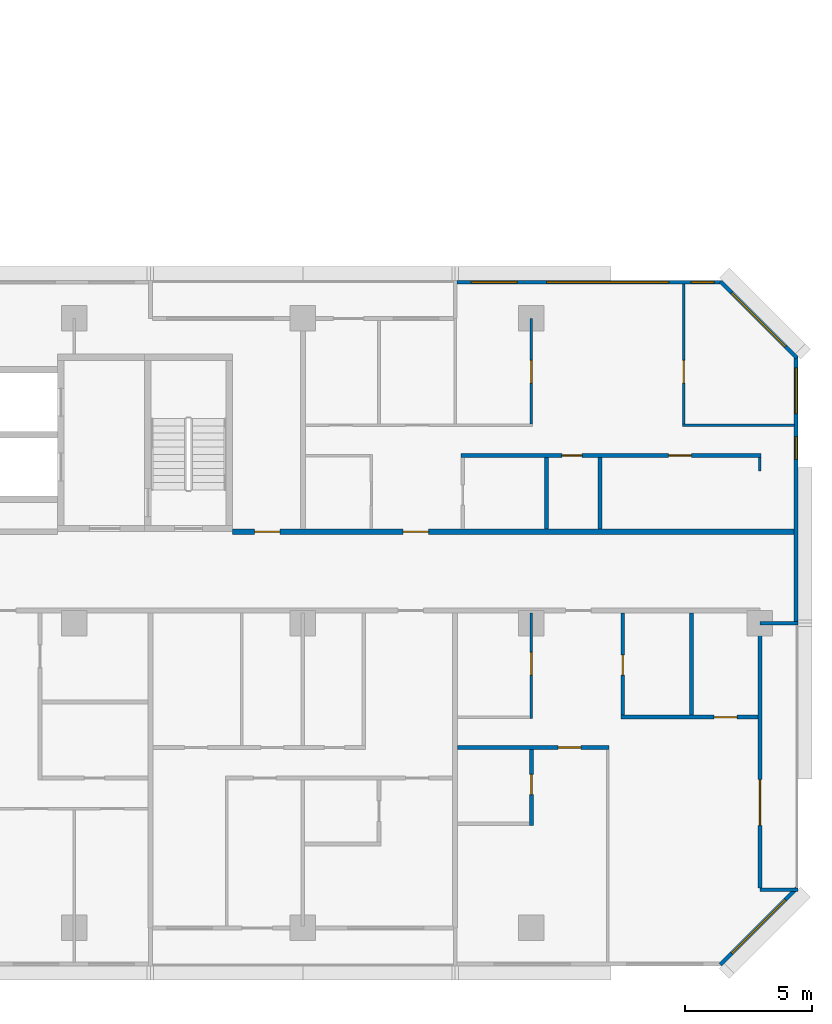
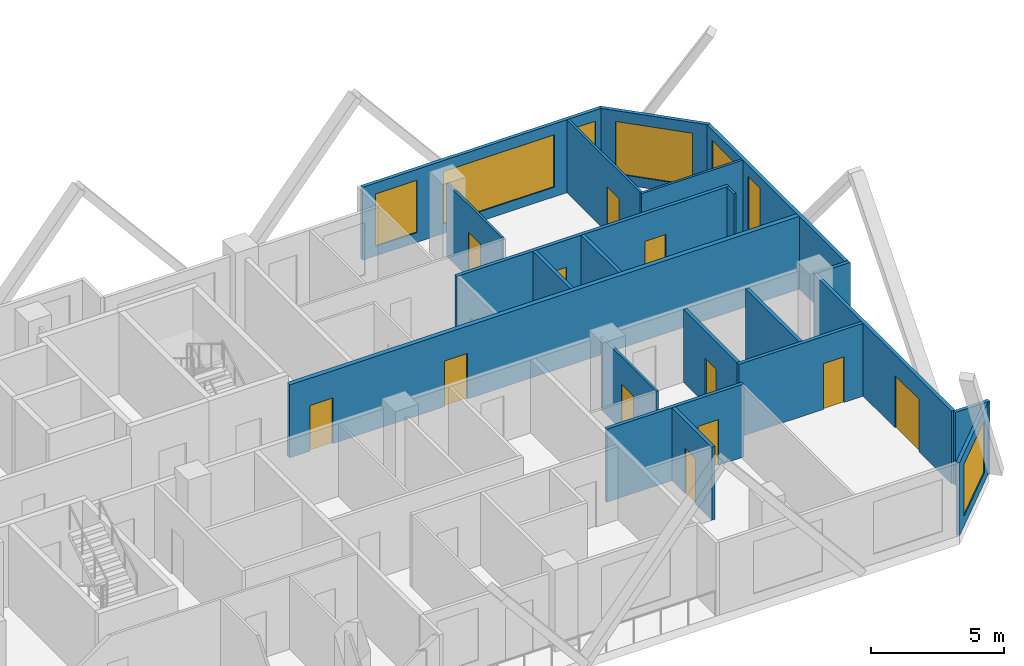
# One storey, part 12 of 15: 21 walls, 12 doors, 7 windows, 19 openings.
"""IFC4 building model written with IfcOpenShell, lengths in metres."""

from ifc_helpers import new_model, si_unit, direction, frame, frame_2d, origin, place, context, subcontext, project, spatial, rectangle, extrude, material, layer, layer_set, type_object, element, fill, save


model = new_model("IFC4")

# Units and contexts
model_context = context("Model", 3, precision=1e-05, world=origin(), true_north=direction((0.0, 1.0)))
body_context = subcontext(model_context, "Body", "Model", "MODEL_VIEW")
ifc_project = project(units=[si_unit("LENGTHUNIT", "METRE"), si_unit("AREAUNIT", "SQUARE_METRE"), si_unit("VOLUMEUNIT", "CUBIC_METRE"), si_unit("PLANEANGLEUNIT", "RADIAN"), si_unit("MASSUNIT", "GRAM", prefix="KILO")], contexts=[model_context])

# Site, building, storey
site_placement = place(None, origin())
site = spatial("IfcSite", under=ifc_project, at=site_placement, CompositionType="ELEMENT")
building_placement = place(site_placement, origin())
building = spatial("IfcBuilding", under=site, at=building_placement, Name="Chenar Terraces", CompositionType="ELEMENT")
storey_placement = place(building_placement, frame((0.0, 0.0, 106.89990234375)))
storey = spatial("IfcBuildingStorey", under=building, at=storey_placement, Name="L24", CompositionType="ELEMENT", Elevation=106.89990234375)

# Wall, openings, doors
ifc_material_1 = material(Name="Gypsum board on steel studs with fire boards", Category="steel")
ifc_layer_1 = layer(ifc_material_1, 0.199951171875)
ifc_layer_set_1 = layer_set([ifc_layer_1], Name="Gypsum board on steel studs with fire boards")
wall_type_1 = type_object("IfcWallType", Name="Corridor wall 200", PredefinedType="PARTITIONING", material=ifc_layer_set_1)
wall_1_placement = place(storey_placement, frame((51.22509765625, 15.60009765625, 0.0), z_axis=(0.0, 0.0, 1.0), x_axis=(1.0, 0.0, 0.0)))
wall_1 = element("IfcWall", 1, at=wall_1_placement, inside=storey, type_object=wall_type_1, Name="Partition L24-075", PredefinedType="PARTITIONING", context=body_context, shape_type="SweptSolid", body=[
    extrude(rectangle(XDim=22.125, YDim=0.199951171875, at=frame_2d((11.0625, 0.0))), origin(), (0.0, 0.0, 1.0), 3.35009765625),
])
opening_1_placement = place(wall_1_placement, frame((6.72509765625, 0.0, 0.0)))
opening_1 = element("IfcOpeningElement", 2, at=opening_1_placement, cuts=wall_1, Name="Opening DL24-10", PredefinedType="OPENING", context=body_context, shape_type="SweptSolid", body=[
    extrude(rectangle(XDim=1.0, YDim=2.10009765625, at=frame_2d((0.5, 1.050048828125))), frame((0.0, 0.10986328125, 0.0), z_axis=(0.0, -1.0, 0.0), x_axis=(1.0, 0.0, 0.0)), (0.0, 0.0, 1.0), 0.219970703125),
])
opening_2_placement = place(wall_1_placement, frame((0.875, 0.0, 0.0)))
opening_2 = element("IfcOpeningElement", 3, at=opening_2_placement, cuts=wall_1, Name="Opening DL24-49", PredefinedType="OPENING", context=body_context, shape_type="SweptSolid", body=[
    extrude(rectangle(XDim=1.0, YDim=2.10009765625, at=frame_2d((0.5, 1.050048828125))), frame((0.0, 0.10986328125, 0.0), z_axis=(0.0, -1.0, 0.0), x_axis=(1.0, 0.0, 0.0)), (0.0, 0.0, 1.0), 0.219970703125),
])
ifc_material_2 = material(Name="Steel-framed fire-resisting door leaf", Category="steel")
door_type_1 = type_object("IfcDoorType", Name="Fire door FD30S 1000 x 2100", OperationType="SINGLE_SWING_LEFT", PredefinedType="DOOR", material=ifc_material_2)
door_1_placement = place(opening_1_placement, origin())
door_1 = element("IfcDoor", 4, at=door_1_placement, inside=storey, type_object=door_type_1, Name="Door DL24-10", OperationType="SINGLE_SWING_LEFT", OverallHeight=2.10009765625, OverallWidth=1.0, PredefinedType="DOOR", context=body_context, shape_type="SweptSolid", body=[
    extrude(rectangle(XDim=1.0, YDim=2.10009765625, at=frame_2d((0.5, 1.050048828125))), frame((0.0, 0.02490234375, 0.0), z_axis=(0.0, -1.0, 0.0), x_axis=(1.0, 0.0, 0.0)), (0.0, 0.0, 1.0), 0.050048828125),
])
fill(opening_1, door_1)
door_2_placement = place(opening_2_placement, origin())
door_2 = element("IfcDoor", 5, at=door_2_placement, inside=storey, type_object=door_type_1, Name="Door DL24-49", OperationType="SINGLE_SWING_RIGHT", OverallHeight=2.10009765625, OverallWidth=1.0, PredefinedType="DOOR", context=body_context, shape_type="SweptSolid", body=[
    extrude(rectangle(XDim=1.0, YDim=2.10009765625, at=frame_2d((0.5, 1.050048828125))), frame((0.0, 0.02490234375, 0.0), z_axis=(0.0, -1.0, 0.0), x_axis=(1.0, 0.0, 0.0)), (0.0, 0.0, 1.0), 0.050048828125),
])
fill(opening_2, door_2)

# Wall, openings, windows
ifc_material_3 = material(Name="Aluminium framed glazing", Category="aluminium")
ifc_layer_2 = layer(ifc_material_3, 0.14990234375)
ifc_layer_set_2 = layer_set([ifc_layer_2], Name="Aluminium framed glazing")
wall_type_2 = type_object("IfcWallType", Name="Glazed flush facade wall 150", PredefinedType="SOLIDWALL", material=ifc_layer_set_2)
wall_2_placement = place(storey_placement, frame((70.5, 25.425048828125, 0.0), z_axis=(0.0, 0.0, 1.0), x_axis=(-1.0, 0.0, 0.0)))
wall_2 = element("IfcWall", 6, at=wall_2_placement, inside=storey, type_object=wall_type_2, Name="Glazed flush facade wall", PredefinedType="SOLIDWALL", context=body_context, shape_type="SweptSolid", body=[
    extrude(rectangle(XDim=10.425048828125, YDim=0.14990234375, at=frame_2d((5.21240234375, 0.0))), origin(), (0.0, 0.0, 1.0), 3.35009765625),
])
opening_3_placement = place(wall_2_placement, frame((0.300048828125, 0.0, 0.449951171875)))
opening_3 = element("IfcOpeningElement", 7, at=opening_3_placement, cuts=wall_2, Name="Opening W90x240", PredefinedType="OPENING", context=body_context, shape_type="SweptSolid", body=[
    extrude(rectangle(XDim=0.89990234375, YDim=2.39990234375, at=frame_2d((0.449951171875, 1.199951171875))), frame((0.0, 0.0849609375, 0.0), z_axis=(0.0, -1.0, 0.0), x_axis=(1.0, 0.0, 0.0)), (0.0, 0.0, 1.0), 0.169921875),
])
opening_4_placement = place(wall_2_placement, frame((2.10009765625, 0.0, 0.449951171875)))
opening_4 = element("IfcOpeningElement", 8, at=opening_4_placement, cuts=wall_2, Name="Opening W480x240", PredefinedType="OPENING", context=body_context, shape_type="SweptSolid", body=[
    extrude(rectangle(XDim=4.800048828125, YDim=2.39990234375, at=frame_2d((2.39990234375, 1.199951171875))), frame((0.0, 0.0849609375, 0.0), z_axis=(0.0, -1.0, 0.0), x_axis=(1.0, 0.0, 0.0)), (0.0, 0.0, 1.0), 0.169921875),
])
opening_5_placement = place(wall_2_placement, frame((8.0625, 0.0, 0.449951171875)))
opening_5 = element("IfcOpeningElement", 9, at=opening_5_placement, cuts=wall_2, Name="Opening W180x240", PredefinedType="OPENING", context=body_context, shape_type="SweptSolid", body=[
    extrude(rectangle(XDim=1.800048828125, YDim=2.39990234375, at=frame_2d((0.89990234375, 1.199951171875))), frame((0.0, 0.0849609375, 0.0), z_axis=(0.0, -1.0, 0.0), x_axis=(1.0, 0.0, 0.0)), (0.0, 0.0, 1.0), 0.169921875),
])
ifc_material_4 = material(Name="Low emissivity double glazing, aluminium frame", Category="aluminium")
window_type_1 = type_object("IfcWindowType", Name="Fixed light 1800 x 2400", PartitioningType="SINGLE_PANEL", PredefinedType="WINDOW", material=ifc_material_4)
window_1_placement = place(opening_5_placement, origin())
window_1 = element("IfcWindow", 10, at=window_1_placement, inside=storey, type_object=window_type_1, Name="Window", OverallHeight=2.39990234375, OverallWidth=1.800048828125, PartitioningType="SINGLE_PANEL", PredefinedType="WINDOW", context=body_context, shape_type="SweptSolid", body=[
    extrude(rectangle(XDim=1.800048828125, YDim=2.39990234375, at=frame_2d((0.89990234375, 1.199951171875))), frame((0.0, 0.030029296875, 0.0), z_axis=(0.0, -1.0, 0.0), x_axis=(1.0, 0.0, 0.0)), (0.0, 0.0, 1.0), 0.06005859375),
])
fill(opening_5, window_1)
ifc_material_5 = material(Name="Low emissivity double glazing, aluminium frame", Category="aluminium")
window_type_2 = type_object("IfcWindowType", Name="Fixed light 4800 x 2400", PartitioningType="SINGLE_PANEL", PredefinedType="WINDOW", material=ifc_material_5)
window_2_placement = place(opening_4_placement, origin())
window_2 = element("IfcWindow", 11, at=window_2_placement, inside=storey, type_object=window_type_2, Name="Window", OverallHeight=2.39990234375, OverallWidth=4.800048828125, PartitioningType="SINGLE_PANEL", PredefinedType="WINDOW", context=body_context, shape_type="SweptSolid", body=[
    extrude(rectangle(XDim=4.800048828125, YDim=2.39990234375, at=frame_2d((2.39990234375, 1.199951171875))), frame((0.0, 0.030029296875, 0.0), z_axis=(0.0, -1.0, 0.0), x_axis=(1.0, 0.0, 0.0)), (0.0, 0.0, 1.0), 0.06005859375),
])
fill(opening_4, window_2)
ifc_material_6 = material(Name="Low emissivity double glazing, aluminium frame", Category="aluminium")
window_type_3 = type_object("IfcWindowType", Name="Fixed light 900 x 2400", PartitioningType="SINGLE_PANEL", PredefinedType="WINDOW", material=ifc_material_6)
window_3_placement = place(opening_3_placement, origin())
window_3 = element("IfcWindow", 12, at=window_3_placement, inside=storey, type_object=window_type_3, Name="Window", OverallHeight=2.39990234375, OverallWidth=0.89990234375, PartitioningType="SINGLE_PANEL", PredefinedType="WINDOW", context=body_context, shape_type="SweptSolid", body=[
    extrude(rectangle(XDim=0.89990234375, YDim=2.39990234375, at=frame_2d((0.449951171875, 1.199951171875))), frame((0.0, 0.030029296875, 0.0), z_axis=(0.0, -1.0, 0.0), x_axis=(1.0, 0.0, 0.0)), (0.0, 0.0, 1.0), 0.06005859375),
])
fill(opening_3, window_3)

wall_3_placement = place(storey_placement, frame((73.425048828125, 12.074951171875, 0.0), z_axis=(0.0, 0.0, 1.0), x_axis=(0.0, 1.0, 0.0)))
wall_3 = element("IfcWall", 13, at=wall_3_placement, inside=storey, type_object=wall_type_2, Name="Glazed flush facade wall", PredefinedType="SOLIDWALL", context=body_context, shape_type="SweptSolid", body=[
    extrude(rectangle(XDim=10.425048828125, YDim=0.14990234375, at=frame_2d((5.21240234375, 0.0))), origin(), (0.0, 0.0, 1.0), 3.35009765625),
])
opening_6_placement = place(wall_3_placement, frame((6.375, 0.0, 0.449951171875)))
opening_6 = element("IfcOpeningElement", 14, at=opening_6_placement, cuts=wall_3, Name="Opening W90x240", PredefinedType="OPENING", context=body_context, shape_type="SweptSolid", body=[
    extrude(rectangle(XDim=0.89990234375, YDim=2.39990234375, at=frame_2d((0.449951171875, 1.199951171875))), frame((0.0, 0.0849609375, 0.0), z_axis=(0.0, -1.0, 0.0), x_axis=(1.0, 0.0, 0.0)), (0.0, 0.0, 1.0), 0.169921875),
])
opening_7_placement = place(wall_3_placement, frame((8.175048828125, 0.0, 0.449951171875)))
opening_7 = element("IfcOpeningElement", 15, at=opening_7_placement, cuts=wall_3, Name="Opening W180x240", PredefinedType="OPENING", context=body_context, shape_type="SweptSolid", body=[
    extrude(rectangle(XDim=1.800048828125, YDim=2.39990234375, at=frame_2d((0.89990234375, 1.199951171875))), frame((0.0, 0.0849609375, 0.0), z_axis=(0.0, -1.0, 0.0), x_axis=(1.0, 0.0, 0.0)), (0.0, 0.0, 1.0), 0.169921875),
])
window_4_placement = place(opening_7_placement, origin())
window_4 = element("IfcWindow", 16, at=window_4_placement, inside=storey, type_object=window_type_1, Name="Window", OverallHeight=2.39990234375, OverallWidth=1.800048828125, PartitioningType="SINGLE_PANEL", PredefinedType="WINDOW", context=body_context, shape_type="SweptSolid", body=[
    extrude(rectangle(XDim=1.800048828125, YDim=2.39990234375, at=frame_2d((0.89990234375, 1.199951171875))), frame((0.0, 0.030029296875, 0.0), z_axis=(0.0, -1.0, 0.0), x_axis=(1.0, 0.0, 0.0)), (0.0, 0.0, 1.0), 0.06005859375),
])
fill(opening_7, window_4)
window_5_placement = place(opening_6_placement, origin())
window_5 = element("IfcWindow", 17, at=window_5_placement, inside=storey, type_object=window_type_3, Name="Window", OverallHeight=2.39990234375, OverallWidth=0.89990234375, PartitioningType="SINGLE_PANEL", PredefinedType="WINDOW", context=body_context, shape_type="SweptSolid", body=[
    extrude(rectangle(XDim=0.89990234375, YDim=2.39990234375, at=frame_2d((0.449951171875, 1.199951171875))), frame((0.0, 0.030029296875, 0.0), z_axis=(0.0, -1.0, 0.0), x_axis=(1.0, 0.0, 0.0)), (0.0, 0.0, 1.0), 0.06005859375),
])
fill(opening_6, window_5)

# Wall, opening, door
ifc_material_7 = material(Name="Aluminium framed glazing", Category="aluminium")
ifc_layer_3 = layer(ifc_material_7, 0.14990234375)
ifc_layer_set_3 = layer_set([ifc_layer_3], Name="Aluminium framed glazing")
wall_type_3 = type_object("IfcWallType", Name="Glazed loggia back wall 150", PredefinedType="SOLIDWALL", material=ifc_layer_set_3)
wall_4_placement = place(storey_placement, frame((72.0, 1.574951171875, 0.0), z_axis=(0.0, 0.0, 1.0), x_axis=(0.0, 1.0, 0.0)))
wall_4 = element("IfcWall", 18, at=wall_4_placement, inside=storey, type_object=wall_type_3, Name="Glazed loggia back wall", PredefinedType="SOLIDWALL", context=body_context, shape_type="SweptSolid", body=[
    extrude(rectangle(XDim=10.35009765625, YDim=0.14990234375, at=frame_2d((5.175048828125, 0.0))), origin(), (0.0, 0.0, 1.0), 3.35009765625),
])
opening_8_placement = place(wall_4_placement, frame((2.46240234375, 0.0, 0.0)))
opening_8 = element("IfcOpeningElement", 19, at=opening_8_placement, cuts=wall_4, Name="Opening DL24-G8", PredefinedType="OPENING", context=body_context, shape_type="SweptSolid", body=[
    extrude(rectangle(XDim=1.800048828125, YDim=2.39990234375, at=frame_2d((0.89990234375, 1.199951171875))), frame((0.0, 0.0849609375, 0.0), z_axis=(0.0, -1.0, 0.0), x_axis=(1.0, 0.0, 0.0)), (0.0, 0.0, 1.0), 0.169921875),
])
ifc_material_8 = material(Name="Low emissivity double glazing, aluminium frame", Category="aluminium")
door_type_2 = type_object("IfcDoorType", Name="Loggia glazed double door 1800 x 2400", OperationType="DOUBLE_DOOR_SINGLE_SWING", PredefinedType="DOOR", material=ifc_material_8)
door_3_placement = place(opening_8_placement, frame((1.800048828125, 0.0, 0.0), z_axis=(0.0, 0.0, 1.0), x_axis=(-1.0, 0.0, 0.0)))
door_3 = element("IfcDoor", 20, at=door_3_placement, inside=storey, type_object=door_type_2, Name="Loggia glazed door", OperationType="DOUBLE_DOOR_SINGLE_SWING", OverallHeight=2.39990234375, OverallWidth=1.800048828125, PredefinedType="DOOR", context=body_context, shape_type="SweptSolid", body=[
    extrude(rectangle(XDim=1.800048828125, YDim=2.39990234375, at=frame_2d((0.89990234375, 1.199951171875))), frame((0.0, 0.02490234375, 0.0), z_axis=(0.0, -1.0, 0.0), x_axis=(1.0, 0.0, 0.0)), (0.0, 0.0, 1.0), 0.050048828125),
])
fill(opening_8, door_3)

ifc_material_9 = material(Name="Gypsum board on steel studs", Category="steel")
ifc_layer_4 = layer(ifc_material_9, 0.10009765625)
ifc_layer_set_4 = layer_set([ifc_layer_4], Name="Gypsum board on steel studs")
wall_type_4 = type_object("IfcWallType", Name="Gypsum partition 100", PredefinedType="PARTITIONING", material=ifc_layer_set_4)
wall_5_placement = place(storey_placement, frame((63.0, 8.25, 0.0), z_axis=(0.0, 0.0, 1.0), x_axis=(0.0, 1.0, 0.0)))
wall_5 = element("IfcWall", 21, at=wall_5_placement, inside=storey, type_object=wall_type_4, Name="Partition L24-095", PredefinedType="PARTITIONING", context=body_context, shape_type="SweptSolid", body=[
    extrude(rectangle(XDim=4.14990234375, YDim=0.10009765625, at=frame_2d((2.074951171875, 0.0))), origin(), (0.0, 0.0, 1.0), 3.35009765625),
])
opening_9_placement = place(wall_5_placement, frame((1.699951171875, 0.0, 0.0)))
opening_9 = element("IfcOpeningElement", 22, at=opening_9_placement, cuts=wall_5, Name="Opening DL24-23", PredefinedType="OPENING", context=body_context, shape_type="SweptSolid", body=[
    extrude(rectangle(XDim=0.89990234375, YDim=2.10009765625, at=frame_2d((0.449951171875, 1.050048828125))), frame((0.0, 0.06005859375, 0.0), z_axis=(0.0, -1.0, 0.0), x_axis=(1.0, 0.0, 0.0)), (0.0, 0.0, 1.0), 0.1201171875),
])
ifc_material_10 = material(Name="Veneered timber door leaf", Category="wood")
door_type_3 = type_object("IfcDoorType", Name="Door 900 x 2100", OperationType="SINGLE_SWING_LEFT", PredefinedType="DOOR", material=ifc_material_10)
door_4_placement = place(opening_9_placement, origin())
door_4 = element("IfcDoor", 23, at=door_4_placement, inside=storey, type_object=door_type_3, Name="Door DL24-23", OperationType="SINGLE_SWING_RIGHT", OverallHeight=2.10009765625, OverallWidth=0.89990234375, PredefinedType="DOOR", context=body_context, shape_type="SweptSolid", body=[
    extrude(rectangle(XDim=0.89990234375, YDim=2.10009765625, at=frame_2d((0.449951171875, 1.050048828125))), frame((0.0, 0.02490234375, 0.0), z_axis=(0.0, -1.0, 0.0), x_axis=(1.0, 0.0, 0.0)), (0.0, 0.0, 1.0), 0.050048828125),
])
fill(opening_9, door_4)

wall_6_placement = place(storey_placement, frame((63.0, 19.85009765625, 0.0), z_axis=(0.0, 0.0, 1.0), x_axis=(0.0, 1.0, 0.0)))
wall_6 = element("IfcWall", 24, at=wall_6_placement, inside=storey, type_object=wall_type_4, Name="Partition L24-096", PredefinedType="PARTITIONING", context=body_context, shape_type="SweptSolid", body=[
    extrude(rectangle(XDim=4.14990234375, YDim=0.10009765625, at=frame_2d((2.074951171875, 0.0))), origin(), (0.0, 0.0, 1.0), 3.35009765625),
])
opening_10_placement = place(wall_6_placement, frame((1.60009765625, 0.0, 0.0)))
opening_10 = element("IfcOpeningElement", 25, at=opening_10_placement, cuts=wall_6, Name="Opening DL24-7", PredefinedType="OPENING", context=body_context, shape_type="SweptSolid", body=[
    extrude(rectangle(XDim=0.89990234375, YDim=2.10009765625, at=frame_2d((0.449951171875, 1.050048828125))), frame((0.0, 0.06005859375, 0.0), z_axis=(0.0, -1.0, 0.0), x_axis=(1.0, 0.0, 0.0)), (0.0, 0.0, 1.0), 0.1201171875),
])
door_5_placement = place(opening_10_placement, origin())
door_5 = element("IfcDoor", 26, at=door_5_placement, inside=storey, type_object=door_type_3, Name="Door DL24-7", OperationType="SINGLE_SWING_RIGHT", OverallHeight=2.10009765625, OverallWidth=0.89990234375, PredefinedType="DOOR", context=body_context, shape_type="SweptSolid", body=[
    extrude(rectangle(XDim=0.89990234375, YDim=2.10009765625, at=frame_2d((0.449951171875, 1.050048828125))), frame((0.0, 0.02490234375, 0.0), z_axis=(0.0, -1.0, 0.0), x_axis=(1.0, 0.0, 0.0)), (0.0, 0.0, 1.0), 0.050048828125),
])
fill(opening_10, door_5)

# Wall
wall_7_placement = place(storey_placement, frame((68.949951171875, 19.800048828125, 0.0), z_axis=(0.0, 0.0, 1.0), x_axis=(1.0, 0.0, 0.0)))
element("IfcWall", 27, at=wall_7_placement, inside=storey, type_object=wall_type_4, Name="Partition L24-102", PredefinedType="PARTITIONING", context=body_context, shape_type="SweptSolid", body=[
    extrude(rectangle(XDim=4.401123046875, YDim=0.10009765625, at=frame_2d((2.20068359375, 0.0))), origin(), (0.0, 0.0, 1.0), 3.35009765625),
])

# Wall, opening, door
wall_8_placement = place(storey_placement, frame((69.0, 19.85009765625, 0.0), z_axis=(0.0, 0.0, 1.0), x_axis=(0.0, 1.0, 0.0)))
wall_8 = element("IfcWall", 28, at=wall_8_placement, inside=storey, type_object=wall_type_4, Name="Partition L24-103", PredefinedType="PARTITIONING", context=body_context, shape_type="SweptSolid", body=[
    extrude(rectangle(XDim=5.5, YDim=0.10009765625, at=frame_2d((2.75, 0.0))), origin(), (0.0, 0.0, 1.0), 3.35009765625),
])
opening_11_placement = place(wall_8_placement, frame((1.60009765625, 0.0, 0.0)))
opening_11 = element("IfcOpeningElement", 29, at=opening_11_placement, cuts=wall_8, Name="Opening DL24-8", PredefinedType="OPENING", context=body_context, shape_type="SweptSolid", body=[
    extrude(rectangle(XDim=0.89990234375, YDim=2.10009765625, at=frame_2d((0.449951171875, 1.050048828125))), frame((0.0, 0.06005859375, 0.0), z_axis=(0.0, -1.0, 0.0), x_axis=(1.0, 0.0, 0.0)), (0.0, 0.0, 1.0), 0.1201171875),
])
door_6_placement = place(opening_11_placement, frame((0.89990234375, 0.0, 0.0), z_axis=(0.0, 0.0, 1.0), x_axis=(-1.0, 0.0, 0.0)))
door_6 = element("IfcDoor", 30, at=door_6_placement, inside=storey, type_object=door_type_3, Name="Door DL24-8", OperationType="SINGLE_SWING_LEFT", OverallHeight=2.10009765625, OverallWidth=0.89990234375, PredefinedType="DOOR", context=body_context, shape_type="SweptSolid", body=[
    extrude(rectangle(XDim=0.89990234375, YDim=2.10009765625, at=frame_2d((0.449951171875, 1.050048828125))), frame((0.0, 0.02490234375, 0.0), z_axis=(0.0, -1.0, 0.0), x_axis=(1.0, 0.0, 0.0)), (0.0, 0.0, 1.0), 0.050048828125),
])
fill(opening_11, door_6)

# Walls
wall_9_placement = place(storey_placement, frame((72.0, 18.0, 0.0), z_axis=(0.0, 0.0, 1.0), x_axis=(0.0, 1.0, 0.0)))
element("IfcWall", 31, at=wall_9_placement, inside=storey, type_object=wall_type_4, Name="Partition L24-105", PredefinedType="PARTITIONING", context=body_context, shape_type="SweptSolid", body=[
    extrude(rectangle(XDim=0.52490234375, YDim=0.10009765625, at=frame_2d((0.262451171875, 0.0))), origin(), (0.0, 0.0, 1.0), 3.35009765625),
])
ifc_material_11 = material(Name="Terracotta cladding on insulated backing", Category="masonry")
ifc_layer_5 = layer(ifc_material_11, 0.14990234375)
ifc_layer_set_5 = layer_set([ifc_layer_5], Name="Terracotta cladding on insulated backing")
wall_type_5 = type_object("IfcWallType", Name="Loggia return wall 150", PredefinedType="SOLIDWALL", material=ifc_layer_set_5)
for number, where, z_axis, x_axis, name in (
    (32, (73.5, 1.5, 0.0), (0.0, 0.0, 1.0), (-1.0, 0.0, 0.0), "Loggia return wall"),
    (33, (73.5, 12.0, 0.0), (0.0, 0.0, 1.0), (-1.0, 0.0, 0.0), "Loggia return wall"),
):
    element("IfcWall", number, at=place(storey_placement, frame(where, z_axis=z_axis, x_axis=x_axis)), inside=storey, type_object=wall_type_5, Name=name, PredefinedType="SOLIDWALL", context=body_context, shape_type="SweptSolid", body=[
        extrude(rectangle(XDim=1.5, YDim=0.14990234375, at=frame_2d((0.75, 0.0))), origin(), (0.0, 0.0, 1.0), 3.35009765625),
    ])

# Wall, opening, window
ifc_material_12 = material(Name="Terracotta cladding on insulated backing", Category="masonry")
ifc_layer_6 = layer(ifc_material_12, 0.14990234375)
ifc_layer_set_6 = layer_set([ifc_layer_6], Name="Terracotta cladding on insulated backing")
wall_type_6 = type_object("IfcWallType", Name="Terracotta rainscreen wall 150", PredefinedType="SOLIDWALL", material=ifc_layer_set_6)
wall_10_placement = place(storey_placement, frame((70.447021484375, -1.447021484375, 0.0), z_axis=(0.0, 0.0, 1.0), x_axis=(0.707106781187, 0.707106781187, 0.0)))
wall_10 = element("IfcWall", 34, at=wall_10_placement, inside=storey, type_object=wall_type_6, Name="Terracotta rainscreen wall", PredefinedType="SOLIDWALL", context=body_context, shape_type="SweptSolid", body=[
    extrude(rectangle(XDim=4.24267578125, YDim=0.14990234375, at=frame_2d((2.121337890625, 0.0))), origin(), (0.0, 0.0, 1.0), 3.35009765625),
])
opening_12_placement = place(wall_10_placement, frame((0.621337890625, 0.0, 0.449951171875)))
opening_12 = element("IfcOpeningElement", 35, at=opening_12_placement, cuts=wall_10, Name="Opening W300x240", PredefinedType="OPENING", context=body_context, shape_type="SweptSolid", body=[
    extrude(rectangle(XDim=3.0, YDim=2.39990234375, at=frame_2d((1.5, 1.199951171875))), frame((0.0, 0.0849609375, 0.0), z_axis=(0.0, -1.0, 0.0), x_axis=(1.0, 0.0, 0.0)), (0.0, 0.0, 1.0), 0.169921875),
])
ifc_material_13 = material(Name="Low emissivity double glazing, aluminium frame", Category="aluminium")
window_type_4 = type_object("IfcWindowType", Name="Fixed light 3000 x 2400", PartitioningType="SINGLE_PANEL", PredefinedType="WINDOW", material=ifc_material_13)
window_6_placement = place(opening_12_placement, origin())
window_6 = element("IfcWindow", 36, at=window_6_placement, inside=storey, type_object=window_type_4, Name="Window", OverallHeight=2.39990234375, OverallWidth=3.0, PartitioningType="SINGLE_PANEL", PredefinedType="WINDOW", context=body_context, shape_type="SweptSolid", body=[
    extrude(rectangle(XDim=3.0, YDim=2.39990234375, at=frame_2d((1.5, 1.199951171875))), frame((0.0, 0.030029296875, 0.0), z_axis=(0.0, -1.0, 0.0), x_axis=(1.0, 0.0, 0.0)), (0.0, 0.0, 1.0), 0.06005859375),
])
fill(opening_12, window_6)

wall_11_placement = place(storey_placement, frame((73.447021484375, 22.447021484375, 0.0), z_axis=(0.0, 0.0, 1.0), x_axis=(-0.707106781187, 0.707106781187, 0.0)))
wall_11 = element("IfcWall", 37, at=wall_11_placement, inside=storey, type_object=wall_type_6, Name="Terracotta rainscreen wall", PredefinedType="SOLIDWALL", context=body_context, shape_type="SweptSolid", body=[
    extrude(rectangle(XDim=4.24267578125, YDim=0.14990234375, at=frame_2d((2.121337890625, 0.0))), origin(), (0.0, 0.0, 1.0), 3.35009765625),
])
opening_13_placement = place(wall_11_placement, frame((0.621337890625, 0.0, 0.449951171875)))
opening_13 = element("IfcOpeningElement", 38, at=opening_13_placement, cuts=wall_11, Name="Opening W300x240", PredefinedType="OPENING", context=body_context, shape_type="SweptSolid", body=[
    extrude(rectangle(XDim=3.0, YDim=2.39990234375, at=frame_2d((1.5, 1.199951171875))), frame((0.0, 0.0849609375, 0.0), z_axis=(0.0, -1.0, 0.0), x_axis=(1.0, 0.0, 0.0)), (0.0, 0.0, 1.0), 0.169921875),
])
window_7_placement = place(opening_13_placement, origin())
window_7 = element("IfcWindow", 39, at=window_7_placement, inside=storey, type_object=window_type_4, Name="Window", OverallHeight=2.39990234375, OverallWidth=3.0, PartitioningType="SINGLE_PANEL", PredefinedType="WINDOW", context=body_context, shape_type="SweptSolid", body=[
    extrude(rectangle(XDim=3.0, YDim=2.39990234375, at=frame_2d((1.5, 1.199951171875))), frame((0.0, 0.030029296875, 0.0), z_axis=(0.0, -1.0, 0.0), x_axis=(1.0, 0.0, 0.0)), (0.0, 0.0, 1.0), 0.06005859375),
])
fill(opening_13, window_7)

# Wall, opening, door
ifc_material_14 = material(Name="Moisture-resistant gypsum board on steel studs", Category="steel")
ifc_layer_7 = layer(ifc_material_14, 0.14990234375)
ifc_layer_set_7 = layer_set([ifc_layer_7], Name="Moisture-resistant gypsum board on steel studs")
wall_type_7 = type_object("IfcWallType", Name="Wet-room partition 150", PredefinedType="PARTITIONING", material=ifc_layer_set_7)
wall_12_placement = place(storey_placement, frame((60.10009765625, 7.10009765625, 0.0), z_axis=(0.0, 0.0, 1.0), x_axis=(1.0, 0.0, 0.0)))
wall_12 = element("IfcWall", 40, at=wall_12_placement, inside=storey, type_object=wall_type_7, Name="Partition L24-090", PredefinedType="PARTITIONING", context=body_context, shape_type="SweptSolid", body=[
    extrude(rectangle(XDim=5.949951171875, YDim=0.14990234375, at=frame_2d((2.97509765625, 0.0))), origin(), (0.0, 0.0, 1.0), 3.35009765625),
])
opening_14_placement = place(wall_12_placement, frame((3.949951171875, 0.0, 0.0)))
opening_14 = element("IfcOpeningElement", 41, at=opening_14_placement, cuts=wall_12, Name="Opening DL24-21", PredefinedType="OPENING", context=body_context, shape_type="SweptSolid", body=[
    extrude(rectangle(XDim=0.89990234375, YDim=2.10009765625, at=frame_2d((0.449951171875, 1.050048828125))), frame((0.0, 0.0849609375, 0.0), z_axis=(0.0, -1.0, 0.0), x_axis=(1.0, 0.0, 0.0)), (0.0, 0.0, 1.0), 0.169921875),
])
door_7_placement = place(opening_14_placement, frame((0.89990234375, 0.0, 0.0), z_axis=(0.0, 0.0, 1.0), x_axis=(-1.0, 0.0, 0.0)))
door_7 = element("IfcDoor", 42, at=door_7_placement, inside=storey, type_object=door_type_3, Name="Door DL24-21", OperationType="SINGLE_SWING_LEFT", OverallHeight=2.10009765625, OverallWidth=0.89990234375, PredefinedType="DOOR", context=body_context, shape_type="SweptSolid", body=[
    extrude(rectangle(XDim=0.89990234375, YDim=2.10009765625, at=frame_2d((0.449951171875, 1.050048828125))), frame((0.0, 0.02490234375, 0.0), z_axis=(0.0, -1.0, 0.0), x_axis=(1.0, 0.0, 0.0)), (0.0, 0.0, 1.0), 0.050048828125),
])
fill(opening_14, door_7)

# Wall, openings, doors
wall_13_placement = place(storey_placement, frame((60.22509765625, 18.60009765625, 0.0), z_axis=(0.0, 0.0, 1.0), x_axis=(1.0, 0.0, 0.0)))
wall_13 = element("IfcWall", 43, at=wall_13_placement, inside=storey, type_object=wall_type_7, Name="Partition L24-092", PredefinedType="PARTITIONING", context=body_context, shape_type="SweptSolid", body=[
    extrude(rectangle(XDim=11.824951171875, YDim=0.14990234375, at=frame_2d((5.91259765625, 0.0))), origin(), (0.0, 0.0, 1.0), 3.35009765625),
])
opening_15_placement = place(wall_13_placement, frame((8.175048828125, 0.0, 0.0)))
opening_15 = element("IfcOpeningElement", 44, at=opening_15_placement, cuts=wall_13, Name="Opening DL24-9", PredefinedType="OPENING", context=body_context, shape_type="SweptSolid", body=[
    extrude(rectangle(XDim=0.89990234375, YDim=2.10009765625, at=frame_2d((0.449951171875, 1.050048828125))), frame((0.0, 0.0849609375, 0.0), z_axis=(0.0, -1.0, 0.0), x_axis=(1.0, 0.0, 0.0)), (0.0, 0.0, 1.0), 0.169921875),
])
opening_16_placement = place(wall_13_placement, frame((3.97509765625, 0.0, 0.0)))
opening_16 = element("IfcOpeningElement", 45, at=opening_16_placement, cuts=wall_13, Name="Opening DL24-12", PredefinedType="OPENING", context=body_context, shape_type="SweptSolid", body=[
    extrude(rectangle(XDim=0.800048828125, YDim=2.10009765625, at=frame_2d((0.39990234375, 1.050048828125))), frame((0.0, 0.0849609375, 0.0), z_axis=(0.0, -1.0, 0.0), x_axis=(1.0, 0.0, 0.0)), (0.0, 0.0, 1.0), 0.169921875),
])
ifc_material_15 = material(Name="Veneered timber door leaf", Category="wood")
door_type_4 = type_object("IfcDoorType", Name="Door 800 x 2100", OperationType="SINGLE_SWING_LEFT", PredefinedType="DOOR", material=ifc_material_15)
door_8_placement = place(opening_16_placement, frame((0.800048828125, 0.0, 0.0), z_axis=(0.0, 0.0, 1.0), x_axis=(-1.0, 0.0, 0.0)))
door_8 = element("IfcDoor", 46, at=door_8_placement, inside=storey, type_object=door_type_4, Name="Door DL24-12", OperationType="SINGLE_SWING_RIGHT", OverallHeight=2.10009765625, OverallWidth=0.800048828125, PredefinedType="DOOR", context=body_context, shape_type="SweptSolid", body=[
    extrude(rectangle(XDim=0.800048828125, YDim=2.10009765625, at=frame_2d((0.39990234375, 1.050048828125))), frame((0.0, 0.02490234375, 0.0), z_axis=(0.0, -1.0, 0.0), x_axis=(1.0, 0.0, 0.0)), (0.0, 0.0, 1.0), 0.050048828125),
])
fill(opening_16, door_8)
door_9_placement = place(opening_15_placement, frame((0.89990234375, 0.0, 0.0), z_axis=(0.0, 0.0, 1.0), x_axis=(-1.0, 0.0, 0.0)))
door_9 = element("IfcDoor", 47, at=door_9_placement, inside=storey, type_object=door_type_3, Name="Door DL24-9", OperationType="SINGLE_SWING_LEFT", OverallHeight=2.10009765625, OverallWidth=0.89990234375, PredefinedType="DOOR", context=body_context, shape_type="SweptSolid", body=[
    extrude(rectangle(XDim=0.89990234375, YDim=2.10009765625, at=frame_2d((0.449951171875, 1.050048828125))), frame((0.0, 0.02490234375, 0.0), z_axis=(0.0, -1.0, 0.0), x_axis=(1.0, 0.0, 0.0)), (0.0, 0.0, 1.0), 0.050048828125),
])
fill(opening_15, door_9)

# Wall, opening, door
wall_14_placement = place(storey_placement, frame((63.0, 4.02490234375, 0.0), z_axis=(0.0, 0.0, 1.0), x_axis=(0.0, 1.0, 0.0)))
wall_14 = element("IfcWall", 48, at=wall_14_placement, inside=storey, type_object=wall_type_7, Name="Partition L24-094", PredefinedType="PARTITIONING", context=body_context, shape_type="SweptSolid", body=[
    extrude(rectangle(XDim=3.0, YDim=0.14990234375, at=frame_2d((1.5, 0.0))), origin(), (0.0, 0.0, 1.0), 3.35009765625),
])
opening_17_placement = place(wall_14_placement, frame((1.22509765625, 0.0, 0.0)))
opening_17 = element("IfcOpeningElement", 49, at=opening_17_placement, cuts=wall_14, Name="Opening DL24-22", PredefinedType="OPENING", context=body_context, shape_type="SweptSolid", body=[
    extrude(rectangle(XDim=0.800048828125, YDim=2.10009765625, at=frame_2d((0.39990234375, 1.050048828125))), frame((0.0, 0.0849609375, 0.0), z_axis=(0.0, -1.0, 0.0), x_axis=(1.0, 0.0, 0.0)), (0.0, 0.0, 1.0), 0.169921875),
])
door_10_placement = place(opening_17_placement, origin())
door_10 = element("IfcDoor", 50, at=door_10_placement, inside=storey, type_object=door_type_4, Name="Door DL24-22", OperationType="SINGLE_SWING_RIGHT", OverallHeight=2.10009765625, OverallWidth=0.800048828125, PredefinedType="DOOR", context=body_context, shape_type="SweptSolid", body=[
    extrude(rectangle(XDim=0.800048828125, YDim=2.10009765625, at=frame_2d((0.39990234375, 1.050048828125))), frame((0.0, 0.02490234375, 0.0), z_axis=(0.0, -1.0, 0.0), x_axis=(1.0, 0.0, 0.0)), (0.0, 0.0, 1.0), 0.050048828125),
])
fill(opening_17, door_10)

# Walls
for number, where, z_axis, x_axis, name in (
    (51, (63.60009765625, 15.699951171875, 0.0), (0.0, 0.0, 1.0), (0.0, 1.0, 0.0), "Partition L24-097"),
    (52, (65.699951171875, 15.699951171875, 0.0), (0.0, 0.0, 1.0), (0.0, 1.0, 0.0), "Partition L24-098"),
):
    element("IfcWall", number, at=place(storey_placement, frame(where, z_axis=z_axis, x_axis=x_axis)), inside=storey, type_object=wall_type_7, Name=name, PredefinedType="PARTITIONING", context=body_context, shape_type="SweptSolid", body=[
        extrude(rectangle(XDim=2.824951171875, YDim=0.14990234375, at=frame_2d((1.41259765625, 0.0))), origin(), (0.0, 0.0, 1.0), 3.35009765625),
    ])

# Wall, opening, door
wall_15_placement = place(storey_placement, frame((66.52490234375, 8.300048828125, 0.0), z_axis=(0.0, 0.0, 1.0), x_axis=(1.0, 0.0, 0.0)))
wall_15 = element("IfcWall", 53, at=wall_15_placement, inside=storey, type_object=wall_type_7, Name="Partition L24-100", PredefinedType="PARTITIONING", context=body_context, shape_type="SweptSolid", body=[
    extrude(rectangle(XDim=5.401123046875, YDim=0.14990234375, at=frame_2d((2.70068359375, 0.0))), origin(), (0.0, 0.0, 1.0), 3.35009765625),
])
opening_18_placement = place(wall_15_placement, frame((3.675048828125, 0.0, 0.0)))
opening_18 = element("IfcOpeningElement", 54, at=opening_18_placement, cuts=wall_15, Name="Opening DL24-25", PredefinedType="OPENING", context=body_context, shape_type="SweptSolid", body=[
    extrude(rectangle(XDim=0.89990234375, YDim=2.10009765625, at=frame_2d((0.449951171875, 1.050048828125))), frame((0.0, 0.0849609375, 0.0), z_axis=(0.0, -1.0, 0.0), x_axis=(1.0, 0.0, 0.0)), (0.0, 0.0, 1.0), 0.169921875),
])
door_11_placement = place(opening_18_placement, origin())
door_11 = element("IfcDoor", 55, at=door_11_placement, inside=storey, type_object=door_type_3, Name="Door DL24-25", OperationType="SINGLE_SWING_LEFT", OverallHeight=2.10009765625, OverallWidth=0.89990234375, PredefinedType="DOOR", context=body_context, shape_type="SweptSolid", body=[
    extrude(rectangle(XDim=0.89990234375, YDim=2.10009765625, at=frame_2d((0.449951171875, 1.050048828125))), frame((0.0, 0.02490234375, 0.0), z_axis=(0.0, -1.0, 0.0), x_axis=(1.0, 0.0, 0.0)), (0.0, 0.0, 1.0), 0.050048828125),
])
fill(opening_18, door_11)

wall_16_placement = place(storey_placement, frame((66.60009765625, 8.375, 0.0), z_axis=(0.0, 0.0, 1.0), x_axis=(0.0, 1.0, 0.0)))
wall_16 = element("IfcWall", 56, at=wall_16_placement, inside=storey, type_object=wall_type_7, Name="Partition L24-101", PredefinedType="PARTITIONING", context=body_context, shape_type="SweptSolid", body=[
    extrude(rectangle(XDim=4.02490234375, YDim=0.14990234375, at=frame_2d((2.012451171875, 0.0))), origin(), (0.0, 0.0, 1.0), 3.35009765625),
])
opening_19_placement = place(wall_16_placement, frame((1.574951171875, 0.0, 0.0)))
opening_19 = element("IfcOpeningElement", 57, at=opening_19_placement, cuts=wall_16, Name="Opening DL24-20", PredefinedType="OPENING", context=body_context, shape_type="SweptSolid", body=[
    extrude(rectangle(XDim=0.800048828125, YDim=2.10009765625, at=frame_2d((0.39990234375, 1.050048828125))), frame((0.0, 0.0849609375, 0.0), z_axis=(0.0, -1.0, 0.0), x_axis=(1.0, 0.0, 0.0)), (0.0, 0.0, 1.0), 0.169921875),
])
door_12_placement = place(opening_19_placement, frame((0.800048828125, 0.0, 0.0), z_axis=(0.0, 0.0, 1.0), x_axis=(-1.0, 0.0, 0.0)))
door_12 = element("IfcDoor", 58, at=door_12_placement, inside=storey, type_object=door_type_4, Name="Door DL24-20", OperationType="SINGLE_SWING_LEFT", OverallHeight=2.10009765625, OverallWidth=0.800048828125, PredefinedType="DOOR", context=body_context, shape_type="SweptSolid", body=[
    extrude(rectangle(XDim=0.800048828125, YDim=2.10009765625, at=frame_2d((0.39990234375, 1.050048828125))), frame((0.0, 0.02490234375, 0.0), z_axis=(0.0, -1.0, 0.0), x_axis=(1.0, 0.0, 0.0)), (0.0, 0.0, 1.0), 0.050048828125),
])
fill(opening_19, door_12)

# Wall
wall_17_placement = place(storey_placement, frame((69.300048828125, 8.375, 0.0), z_axis=(0.0, 0.0, 1.0), x_axis=(0.0, 1.0, 0.0)))
element("IfcWall", 59, at=wall_17_placement, inside=storey, type_object=wall_type_7, Name="Partition L24-104", PredefinedType="PARTITIONING", context=body_context, shape_type="SweptSolid", body=[
    extrude(rectangle(XDim=4.02490234375, YDim=0.14990234375, at=frame_2d((2.012451171875, 0.0))), origin(), (0.0, 0.0, 1.0), 3.35009765625),
])

save(model, "model.ifc")
